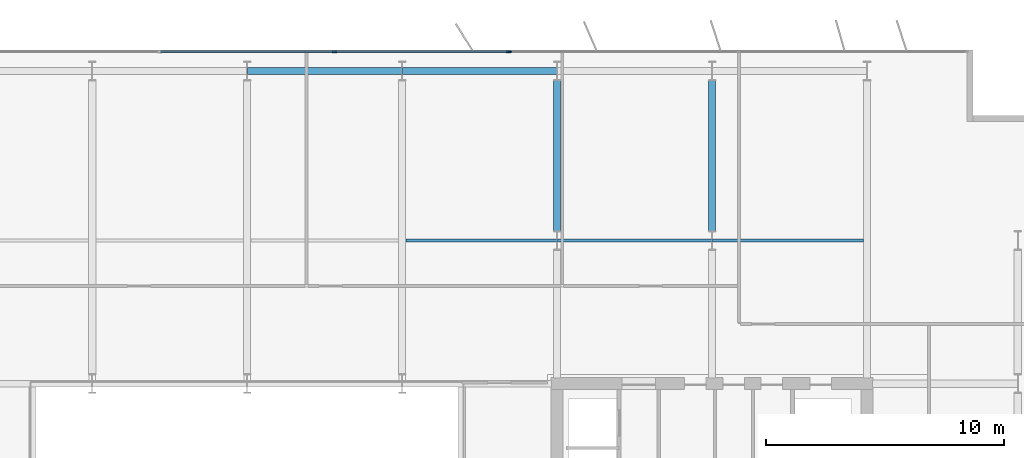
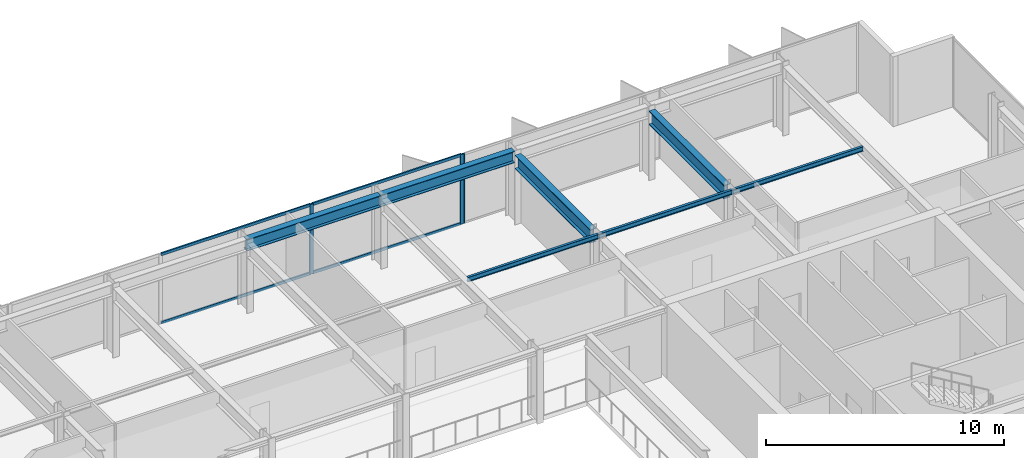
# One storey, part 12 of 23: 7 beams, 7 members, 2 elements without a shape of their own.
"""IFC4 building model written with IfcOpenShell, lengths in metres."""

from ifc_helpers import new_model, si_unit, direction, frame, origin, origin_2d, place, context, subcontext, project, spatial, rectangle, i_section, extrude, material, layer, layer_set, material_profile, profile_set, type_object, element, aggregate, save


model = new_model("IFC4")

# Units and contexts
model_context = context("Model", 3, precision=1e-05, world=origin(), true_north=direction((0.0, 1.0)))
body_context = subcontext(model_context, "Body", "Model", "MODEL_VIEW")
ifc_project = project(units=[si_unit("LENGTHUNIT", "METRE"), si_unit("AREAUNIT", "SQUARE_METRE"), si_unit("VOLUMEUNIT", "CUBIC_METRE"), si_unit("PLANEANGLEUNIT", "RADIAN"), si_unit("MASSUNIT", "GRAM", prefix="KILO")], contexts=[model_context])

# Site, building, storey
site_placement = place(None, origin())
site = spatial("IfcSite", under=ifc_project, at=site_placement, CompositionType="ELEMENT")
building_placement = place(site_placement, origin())
building = spatial("IfcBuilding", under=site, at=building_placement, Name="Putna Gate Headquarters", CompositionType="ELEMENT")
storey_placement = place(building_placement, frame((0.0, 0.0, 213.800048828125)))
storey = spatial("IfcBuildingStorey", under=building, at=storey_placement, Name="L53", CompositionType="ELEMENT", Elevation=213.800048828125)

# Beams
ifc_material_1 = material(Name="Steel S355J2", Category="steel")
ifc_material_profile_1 = material_profile(ifc_material_1, i_section(OverallWidth=0.300048828125, OverallDepth=0.699951171875, WebThickness=0.01708984375, FlangeThickness=0.031982421875, at=origin_2d()), Name="Steel S355J2")
ifc_profile_set_1 = profile_set([ifc_material_profile_1], Name="Steel S355J2")
beam_type_1 = type_object("IfcBeamType", Name="BM-GIRD-B-HEB700", PredefinedType="USERDEFINED", material=ifc_profile_set_1)
for number, where, z_axis, x_axis, name in (
    (1, (52.0, 39.39501953125, 3.22998046875), (0.0, 1.0, 0.0), (-1.0, 0.0, 0.0), "L53 North Primary Girder X52-2"),
    (2, (58.5, 39.39501953125, 3.22998046875), (0.0, 1.0, 0.0), (-1.0, 0.0, 0.0), "L53 North Primary Girder X58-2"),
):
    element("IfcBeam", number, at=place(storey_placement, frame(where, z_axis=z_axis, x_axis=x_axis)), inside=storey, type_object=beam_type_1, Name=name, ObjectType="GIRDER", PredefinedType="USERDEFINED", context=body_context, shape_type="SweptSolid", body=[
        extrude(i_section(OverallWidth=0.300048828125, OverallDepth=0.699951171875, WebThickness=0.01708984375, FlangeThickness=0.031982421875, at=origin_2d()), origin(), (0.0, 0.0, 1.0), 6.330078125),
    ])
ifc_material_profile_2 = material_profile(ifc_material_1, i_section(OverallWidth=0.1201171875, OverallDepth=0.239990234375, WebThickness=0.006103515625, FlangeThickness=0.009765625, at=origin_2d()), Name="Steel S355J2")
ifc_profile_set_2 = profile_set([ifc_material_profile_2], Name="Steel S355J2")
beam_type_2 = type_object("IfcBeamType", Name="BM-SEC-Z4-IPE240", PredefinedType="JOIST", material=ifc_profile_set_2)
beam_1_placement = place(storey_placement, frame((45.654052734375, 39.0, 3.4599609375), z_axis=(1.0, 0.0, 0.0), x_axis=(0.0, 1.0, 0.0)))
element("IfcBeam", 3, at=beam_1_placement, inside=storey, type_object=beam_type_2, Name="L53 North Secondary Beam 6", PredefinedType="JOIST", context=body_context, shape_type="SweptSolid", body=[
    extrude(i_section(OverallWidth=0.1201171875, OverallDepth=0.239990234375, WebThickness=0.006103515625, FlangeThickness=0.009765625, at=origin_2d()), origin(), (0.0, 0.0, 1.0), 6.33984375),
])
beam_2_placement = place(storey_placement, frame((52.006103515625, 39.0, 3.4599609375), z_axis=(1.0, 0.0, 0.0), x_axis=(0.0, 1.0, 0.0)))
element("IfcBeam", 4, at=beam_2_placement, inside=storey, type_object=beam_type_2, Name="L53 North Secondary Beam 7", PredefinedType="JOIST", context=body_context, shape_type="SweptSolid", body=[
    extrude(i_section(OverallWidth=0.1201171875, OverallDepth=0.239990234375, WebThickness=0.006103515625, FlangeThickness=0.009765625, at=origin_2d()), origin(), (0.0, 0.0, 1.0), 6.48779296875),
])
beam_3_placement = place(storey_placement, frame((58.506103515625, 39.0, 3.4599609375), z_axis=(1.0, 0.0, 0.0), x_axis=(0.0, 1.0, 0.0)))
element("IfcBeam", 5, at=beam_3_placement, inside=storey, type_object=beam_type_2, Name="L53 North Secondary Beam 8", PredefinedType="JOIST", context=body_context, shape_type="SweptSolid", body=[
    extrude(i_section(OverallWidth=0.1201171875, OverallDepth=0.239990234375, WebThickness=0.006103515625, FlangeThickness=0.009765625, at=origin_2d()), origin(), (0.0, 0.0, 1.0), 6.33984375),
])
ifc_material_profile_3 = material_profile(ifc_material_1, i_section(OverallWidth=0.300048828125, OverallDepth=0.590087890625, WebThickness=0.012939453125, FlangeThickness=0.02490234375, at=origin_2d()), Name="Steel S355J2")
ifc_profile_set_3 = profile_set([ifc_material_profile_3], Name="Steel S355J2")
beam_type_3 = type_object("IfcBeamType", Name="BM-SPAN-Z4-HEA600", PredefinedType="SPANDREL", material=ifc_profile_set_3)
for number, where, z_axis, x_axis, name in (
    (6, (39.006103515625, 46.1201171875, 3.284912109375), (1.0, 0.0, 0.0), (0.0, 1.0, 0.0), "L53 N Perimeter Spandrel 5"),
    (7, (45.506103515625, 46.1201171875, 3.284912109375), (1.0, 0.0, 0.0), (0.0, 1.0, 0.0), "L53 N Perimeter Spandrel 6"),
):
    element("IfcBeam", number, at=place(storey_placement, frame(where, z_axis=z_axis, x_axis=x_axis)), inside=storey, type_object=beam_type_3, Name=name, PredefinedType="SPANDREL", context=body_context, shape_type="SweptSolid", body=[
        extrude(i_section(OverallWidth=0.300048828125, OverallDepth=0.590087890625, WebThickness=0.012939453125, FlangeThickness=0.02490234375, at=origin_2d()), origin(), (0.0, 0.0, 1.0), 6.48779296875),
    ])

# Curtain wall, member
ifc_material_2 = material(Name="Anodised bronze aluminium curtain wall", Category="aluminium")
ifc_layer_1 = layer(ifc_material_2, 0.139892578125)
ifc_layer_set_1 = layer_set([ifc_layer_1], Name="Anodised bronze aluminium curtain wall")
curtain_wall_type_1 = type_object("IfcCurtainWallType", Name="CW-SYS-Z4", PredefinedType="USERDEFINED", material=ifc_layer_set_1)
curtain_wall_1_placement = place(storey_placement, origin())
curtain_wall_1 = element("IfcCurtainWall", 8, at=curtain_wall_1_placement, inside=storey, type_object=curtain_wall_type_1, Name="L53 North East Curtain Wall", ObjectType="STICK CURTAIN WALL", PredefinedType="USERDEFINED")
ifc_material_3 = material(Name="Anodised bronze aluminium EN AW-6060", Category="aluminium")
ifc_material_profile_4 = material_profile(ifc_material_3, rectangle(XDim=0.06005859375, YDim=0.139892578125, at=origin_2d()), Name="Anodised bronze aluminium EN AW-6060")
ifc_profile_set_4 = profile_set([ifc_material_profile_4], Name="Anodised bronze aluminium EN AW-6060")
member_type_1 = type_object("IfcMemberType", Name="MULL-CWM-4", PredefinedType="MULLION", material=ifc_profile_set_4)
member_1_placement = place(storey_placement, frame((50.030029296875, 46.919921875, 0.0), z_axis=(0.0, 0.0, 1.0), x_axis=(0.0, 1.0, 0.0)))
member_1 = element("IfcMember", 9, at=member_1_placement, type_object=member_type_1, Name="CWS-4 mullion 1", PredefinedType="MULLION", context=body_context, shape_type="SweptSolid", body=[
    extrude(rectangle(XDim=0.06005859375, YDim=0.139892578125, at=origin_2d()), origin(), (0.0, 0.0, 1.0), 3.579833984375),
])
aggregate(curtain_wall_1, [member_1])

# Curtain wall, members
ifc_layer_2 = layer(ifc_material_2, 0.179931640625)
ifc_layer_set_2 = layer_set([ifc_layer_2], Name="Anodised bronze aluminium curtain wall")
curtain_wall_type_2 = type_object("IfcCurtainWallType", Name="CW-SYS-ATR", PredefinedType="USERDEFINED", material=ifc_layer_set_2)
curtain_wall_2_placement = place(storey_placement, origin())
curtain_wall_2 = element("IfcCurtainWall", 10, at=curtain_wall_2_placement, inside=storey, type_object=curtain_wall_type_2, Name="L53 North Atrium Clear Glazing", ObjectType="ATRIUM GLAZING", PredefinedType="USERDEFINED")
ifc_material_profile_5 = material_profile(ifc_material_3, rectangle(XDim=0.070068359375, YDim=0.179931640625, at=origin_2d()), Name="Anodised bronze aluminium EN AW-6060")
ifc_profile_set_5 = profile_set([ifc_material_profile_5], Name="Anodised bronze aluminium EN AW-6060")
member_type_2 = type_object("IfcMemberType", Name="MULL-CWM-AT", PredefinedType="MULLION", material=ifc_profile_set_5)
member_2_placement = place(storey_placement, frame((42.666748046875, 46.919921875, 0.0), z_axis=(0.0, 0.0, 1.0), x_axis=(0.0, 1.0, 0.0)))
member_2 = element("IfcMember", 11, at=member_2_placement, type_object=member_type_2, Name="CWS-AT mullion 3", PredefinedType="MULLION", context=body_context, shape_type="SweptSolid", body=[
    extrude(rectangle(XDim=0.070068359375, YDim=0.179931640625, at=origin_2d()), origin(), (0.0, 0.0, 1.0), 3.579833984375),
])
member_3_placement = place(storey_placement, frame((49.965087890625, 46.919921875, 0.0), z_axis=(0.0, 0.0, 1.0), x_axis=(0.0, 1.0, 0.0)))
member_3 = element("IfcMember", 12, at=member_3_placement, type_object=member_type_2, Name="CWS-AT mullion 4", PredefinedType="MULLION", context=body_context, shape_type="SweptSolid", body=[
    extrude(rectangle(XDim=0.070068359375, YDim=0.179931640625, at=origin_2d()), origin(), (0.0, 0.0, 1.0), 3.579833984375),
])
ifc_material_profile_6 = material_profile(ifc_material_3, rectangle(XDim=0.070068359375, YDim=0.139892578125, at=origin_2d()), Name="Anodised bronze aluminium EN AW-6060")
ifc_profile_set_6 = profile_set([ifc_material_profile_6], Name="Anodised bronze aluminium EN AW-6060")
member_type_3 = type_object("IfcMemberType", Name="TRAN-CWT-AT", PredefinedType="USERDEFINED", material=ifc_profile_set_6)
member_4_placement = place(storey_placement, frame((35.368408203125, 46.919921875, 0.034912109375), z_axis=(1.0, 0.0, 0.0), x_axis=(0.0, 1.0, 0.0)))
member_4 = element("IfcMember", 13, at=member_4_placement, type_object=member_type_3, Name="CWS-AT transom 2.1", ObjectType="TRANSOM", PredefinedType="USERDEFINED", context=body_context, shape_type="SweptSolid", body=[
    extrude(rectangle(XDim=0.070068359375, YDim=0.139892578125, at=origin_2d()), origin(), (0.0, 0.0, 1.0), 7.26318359375),
])
member_5_placement = place(storey_placement, frame((35.368408203125, 46.919921875, 3.544921875), z_axis=(1.0, 0.0, 0.0), x_axis=(0.0, 1.0, 0.0)))
member_5 = element("IfcMember", 14, at=member_5_placement, type_object=member_type_3, Name="CWS-AT transom 2.2", ObjectType="TRANSOM", PredefinedType="USERDEFINED", context=body_context, shape_type="SweptSolid", body=[
    extrude(rectangle(XDim=0.070068359375, YDim=0.139892578125, at=origin_2d()), origin(), (0.0, 0.0, 1.0), 7.26318359375),
])
member_6_placement = place(storey_placement, frame((42.70166015625, 46.919921875, 0.034912109375), z_axis=(1.0, 0.0, 0.0), x_axis=(0.0, 1.0, 0.0)))
member_6 = element("IfcMember", 15, at=member_6_placement, type_object=member_type_3, Name="CWS-AT transom 3.1", ObjectType="TRANSOM", PredefinedType="USERDEFINED", context=body_context, shape_type="SweptSolid", body=[
    extrude(rectangle(XDim=0.070068359375, YDim=0.139892578125, at=origin_2d()), origin(), (0.0, 0.0, 1.0), 7.228271484375),
])
member_7_placement = place(storey_placement, frame((42.70166015625, 46.919921875, 3.544921875), z_axis=(1.0, 0.0, 0.0), x_axis=(0.0, 1.0, 0.0)))
member_7 = element("IfcMember", 16, at=member_7_placement, type_object=member_type_3, Name="CWS-AT transom 3.2", ObjectType="TRANSOM", PredefinedType="USERDEFINED", context=body_context, shape_type="SweptSolid", body=[
    extrude(rectangle(XDim=0.070068359375, YDim=0.139892578125, at=origin_2d()), origin(), (0.0, 0.0, 1.0), 7.228271484375),
])
aggregate(curtain_wall_2, [member_2, member_3, member_4, member_5, member_6, member_7])

save(model, "model.ifc")
